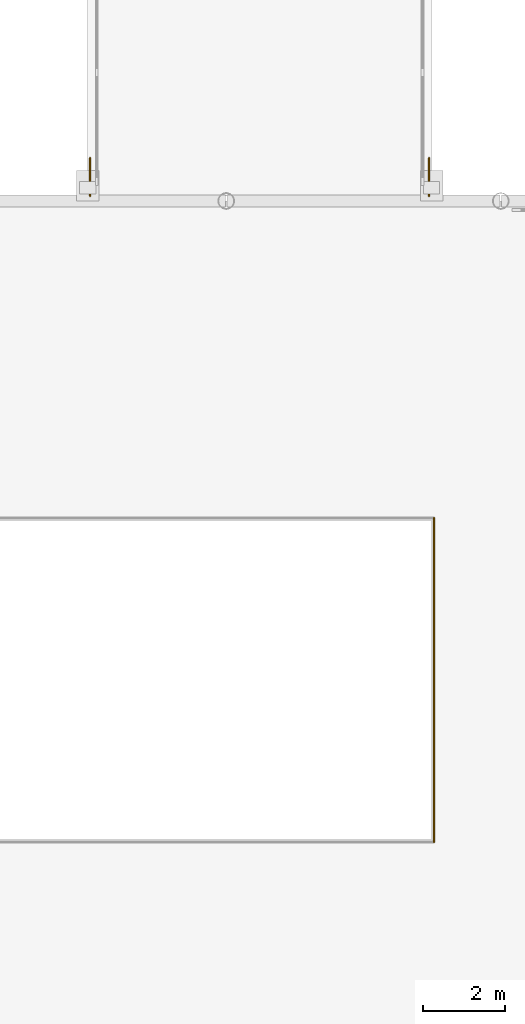
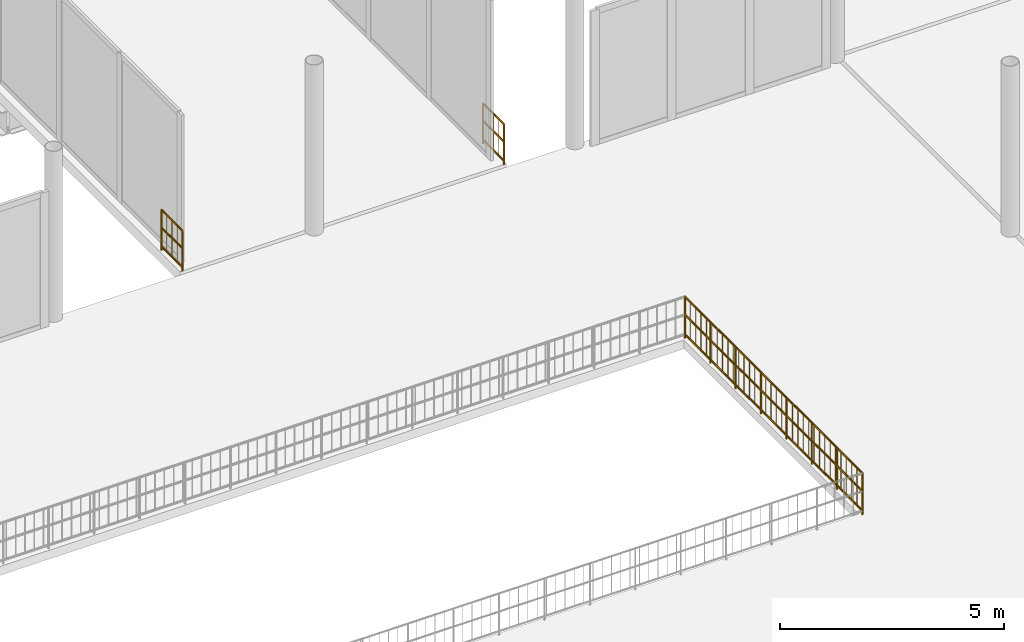
# One storey, part 90 of 98: 3 railings.
"""IFC4 building model written with IfcOpenShell, lengths in metres."""

from ifc_helpers import new_model, si_unit, direction, frame, origin, origin_2d, place, context, subcontext, project, spatial, circle, extrude, material, layer, layer_set, type_object, element, save


model = new_model("IFC4")

# Units and contexts
model_context = context("Model", 3, precision=1e-05, world=origin(), true_north=direction((0.0, 1.0)))
body_context = subcontext(model_context, "Body", "Model", "MODEL_VIEW")
ifc_project = project(units=[si_unit("LENGTHUNIT", "METRE"), si_unit("AREAUNIT", "SQUARE_METRE"), si_unit("VOLUMEUNIT", "CUBIC_METRE"), si_unit("PLANEANGLEUNIT", "RADIAN"), si_unit("MASSUNIT", "GRAM", prefix="KILO")], contexts=[model_context])

# Site, building, storey
site_placement = place(None, origin())
site = spatial("IfcSite", under=ifc_project, at=site_placement, CompositionType="ELEMENT")
building_placement = place(site_placement, origin())
building = spatial("IfcBuilding", under=site, at=building_placement, Name="Nabrawat Pavilion Hospital", CompositionType="ELEMENT")
storey_placement = place(building_placement, frame((0.0, 0.0, 10.199951171875)))
storey = spatial("IfcBuildingStorey", under=building, at=storey_placement, Name="L02", CompositionType="ELEMENT", Elevation=10.199951171875)

# Railings
ifc_material_1 = material(Name="Stainless Steel 316", Category="steel")
ifc_layer_1 = layer(ifc_material_1, 0.070068359375, Name="Stainless Steel 316")
ifc_layer_set_1 = layer_set([ifc_layer_1], Name="Stainless Steel 316")
railing_type_1 = type_object("IfcRailingType", Name="Exterior Clinical Terrace Safety Guardrail 1100", PredefinedType="GUARDRAIL", material=ifc_layer_set_1)
for number, where, name in (
    (1, (109.260009765625, 39.1201171875, 0.0), "L02 Courtyard Seismic Joint Corner Guardrail 04"),
    (2, (117.5400390625, 39.1201171875, 0.0), "L02 Courtyard Seismic Joint Corner Guardrail 05"),
):
    element("IfcRailing", number, at=place(storey_placement, frame(where)), inside=storey, type_object=railing_type_1, Name=name, PredefinedType="GUARDRAIL", context=body_context, shape_type="SweptSolid", body=[
        extrude(circle(Radius=0.02392578125, at=origin_2d()), frame((0.0, 0.0, 1.09619140625), z_axis=(0.0, 1.0, 0.0), x_axis=(-1.0, 0.0, 0.0)), (0.0, 0.0, 1.0), 0.929931640625),
        extrude(circle(Radius=0.02392578125, at=origin_2d()), frame((0.0, 0.0, 0.10009765625), z_axis=(0.0, 1.0, 0.0), x_axis=(-1.0, 0.0, 0.0)), (0.0, 0.0, 1.0), 0.929931640625),
        extrude(circle(Radius=0.02392578125, at=origin_2d()), frame((0.0, 0.0, 0.615966796875), z_axis=(0.0, 1.0, 0.0), x_axis=(-1.0, 0.0, 0.0)), (0.0, 0.0, 1.0), 0.929931640625),
        extrude(circle(Radius=0.008056640625, at=origin_2d()), frame((0.0, 0.232421875, 0.10009765625)), (0.0, 0.0, 1.0), 0.971923828125),
        extrude(circle(Radius=0.008056640625, at=origin_2d()), frame((0.0, 0.46484375, 0.10009765625)), (0.0, 0.0, 1.0), 0.971923828125),
        extrude(circle(Radius=0.008056640625, at=origin_2d()), frame((0.0, 0.697509765625, 0.10009765625)), (0.0, 0.0, 1.0), 0.971923828125),
        extrude(circle(Radius=0.02099609375, at=origin_2d()), origin(), (0.0, 0.0, 1.0), 1.072021484375),
        extrude(circle(Radius=0.02099609375, at=origin_2d()), frame((0.0, 0.929931640625, 0.0)), (0.0, 0.0, 1.0), 1.072021484375),
    ])
ifc_material_2 = material(Name="Laminated Toughened Glass and Stainless Steel", Category="steel")
ifc_layer_2 = layer(ifc_material_2, 0.080078125, Name="Laminated Toughened Glass and Stainless Steel")
ifc_layer_set_2 = layer_set([ifc_layer_2], Name="Laminated Toughened Glass and Stainless Steel")
railing_type_2 = type_object("IfcRailingType", Name="Main Hall Atrium Void Glass Balustrade 1150", PredefinedType="BALUSTRADE", material=ifc_layer_set_2)
railing_placement = place(storey_placement, frame((117.659912109375, 23.340087890625, 0.0)))
element("IfcRailing", 3, at=railing_placement, inside=storey, type_object=railing_type_2, Name="L02 Main Hall Atrium Gallery Balustrade East", PredefinedType="BALUSTRADE", context=body_context, shape_type="SweptSolid", body=[
    extrude(circle(Radius=0.02392578125, at=origin_2d()), frame((0.0, 0.0, 1.1259765625), z_axis=(0.0, 1.0, 0.0), x_axis=(-1.0, 0.0, 0.0)), (0.0, 0.0, 1.0), 7.919921875),
    extrude(circle(Radius=0.02392578125, at=origin_2d()), frame((0.0, 0.0, 0.10009765625), z_axis=(0.0, 1.0, 0.0), x_axis=(-1.0, 0.0, 0.0)), (0.0, 0.0, 1.0), 7.919921875),
    extrude(circle(Radius=0.02392578125, at=origin_2d()), frame((0.0, 0.0, 0.63232421875), z_axis=(0.0, 1.0, 0.0), x_axis=(-1.0, 0.0, 0.0)), (0.0, 0.0, 1.0), 7.919921875),
    extrude(circle(Radius=0.008056640625, at=origin_2d()), frame((0.0, 0.239990234375, 0.10009765625)), (0.0, 0.0, 1.0), 1.001708984375),
    extrude(circle(Radius=0.008056640625, at=origin_2d()), frame((0.0, 0.47998046875, 0.10009765625)), (0.0, 0.0, 1.0), 1.001708984375),
    extrude(circle(Radius=0.008056640625, at=origin_2d()), frame((0.0, 0.719970703125, 0.10009765625)), (0.0, 0.0, 1.0), 1.001708984375),
    extrude(circle(Radius=0.008056640625, at=origin_2d()), frame((0.0, 0.9599609375, 0.10009765625)), (0.0, 0.0, 1.0), 1.001708984375),
    extrude(circle(Radius=0.008056640625, at=origin_2d()), frame((0.0, 1.199951171875, 0.10009765625)), (0.0, 0.0, 1.0), 1.001708984375),
    extrude(circle(Radius=0.008056640625, at=origin_2d()), frame((0.0, 1.43994140625, 0.10009765625)), (0.0, 0.0, 1.0), 1.001708984375),
    extrude(circle(Radius=0.008056640625, at=origin_2d()), frame((0.0, 1.679931640625, 0.10009765625)), (0.0, 0.0, 1.0), 1.001708984375),
    extrude(circle(Radius=0.008056640625, at=origin_2d()), frame((0.0, 1.919921875, 0.10009765625)), (0.0, 0.0, 1.0), 1.001708984375),
    extrude(circle(Radius=0.008056640625, at=origin_2d()), frame((0.0, 2.159912109375, 0.10009765625)), (0.0, 0.0, 1.0), 1.001708984375),
    extrude(circle(Radius=0.008056640625, at=origin_2d()), frame((0.0, 2.39990234375, 0.10009765625)), (0.0, 0.0, 1.0), 1.001708984375),
    extrude(circle(Radius=0.008056640625, at=origin_2d()), frame((0.0, 2.639892578125, 0.10009765625)), (0.0, 0.0, 1.0), 1.001708984375),
    extrude(circle(Radius=0.008056640625, at=origin_2d()), frame((0.0, 2.8798828125, 0.10009765625)), (0.0, 0.0, 1.0), 1.001708984375),
    extrude(circle(Radius=0.008056640625, at=origin_2d()), frame((0.0, 3.119873046875, 0.10009765625)), (0.0, 0.0, 1.0), 1.001708984375),
    extrude(circle(Radius=0.008056640625, at=origin_2d()), frame((0.0, 3.599853515625, 0.10009765625)), (0.0, 0.0, 1.0), 1.001708984375),
    extrude(circle(Radius=0.008056640625, at=origin_2d()), frame((0.0, 3.83984375, 0.10009765625)), (0.0, 0.0, 1.0), 1.001708984375),
    extrude(circle(Radius=0.008056640625, at=origin_2d()), frame((0.0, 4.080078125, 0.10009765625)), (0.0, 0.0, 1.0), 1.001708984375),
    extrude(circle(Radius=0.008056640625, at=origin_2d()), frame((0.0, 4.320068359375, 0.10009765625)), (0.0, 0.0, 1.0), 1.001708984375),
    extrude(circle(Radius=0.008056640625, at=origin_2d()), frame((0.0, 4.800048828125, 0.10009765625)), (0.0, 0.0, 1.0), 1.001708984375),
    extrude(circle(Radius=0.008056640625, at=origin_2d()), frame((0.0, 5.0400390625, 0.10009765625)), (0.0, 0.0, 1.0), 1.001708984375),
    extrude(circle(Radius=0.008056640625, at=origin_2d()), frame((0.0, 5.280029296875, 0.10009765625)), (0.0, 0.0, 1.0), 1.001708984375),
    extrude(circle(Radius=0.008056640625, at=origin_2d()), frame((0.0, 5.52001953125, 0.10009765625)), (0.0, 0.0, 1.0), 1.001708984375),
    extrude(circle(Radius=0.008056640625, at=origin_2d()), frame((0.0, 5.760009765625, 0.10009765625)), (0.0, 0.0, 1.0), 1.001708984375),
    extrude(circle(Radius=0.008056640625, at=origin_2d()), frame((0.0, 6.0, 0.10009765625)), (0.0, 0.0, 1.0), 1.001708984375),
    extrude(circle(Radius=0.008056640625, at=origin_2d()), frame((0.0, 6.239990234375, 0.10009765625)), (0.0, 0.0, 1.0), 1.001708984375),
    extrude(circle(Radius=0.008056640625, at=origin_2d()), frame((0.0, 6.47998046875, 0.10009765625)), (0.0, 0.0, 1.0), 1.001708984375),
    extrude(circle(Radius=0.008056640625, at=origin_2d()), frame((0.0, 6.719970703125, 0.10009765625)), (0.0, 0.0, 1.0), 1.001708984375),
    extrude(circle(Radius=0.008056640625, at=origin_2d()), frame((0.0, 6.9599609375, 0.10009765625)), (0.0, 0.0, 1.0), 1.001708984375),
    extrude(circle(Radius=0.008056640625, at=origin_2d()), frame((0.0, 7.199951171875, 0.10009765625)), (0.0, 0.0, 1.0), 1.001708984375),
    extrude(circle(Radius=0.008056640625, at=origin_2d()), frame((0.0, 7.43994140625, 0.10009765625)), (0.0, 0.0, 1.0), 1.001708984375),
    extrude(circle(Radius=0.008056640625, at=origin_2d()), frame((0.0, 7.679931640625, 0.10009765625)), (0.0, 0.0, 1.0), 1.001708984375),
    extrude(circle(Radius=0.02099609375, at=origin_2d()), origin(), (0.0, 0.0, 1.0), 1.101806640625),
    extrude(circle(Radius=0.02099609375, at=origin_2d()), frame((0.0, 1.13134765625, 0.0)), (0.0, 0.0, 1.0), 1.101806640625),
    extrude(circle(Radius=0.02099609375, at=origin_2d()), frame((0.0, 2.262939453125, 0.0)), (0.0, 0.0, 1.0), 1.101806640625),
    extrude(circle(Radius=0.02099609375, at=origin_2d()), frame((0.0, 3.394287109375, 0.0)), (0.0, 0.0, 1.0), 1.101806640625),
    extrude(circle(Radius=0.02099609375, at=origin_2d()), frame((0.0, 4.525634765625, 0.0)), (0.0, 0.0, 1.0), 1.101806640625),
    extrude(circle(Radius=0.02099609375, at=origin_2d()), frame((0.0, 5.656982421875, 0.0)), (0.0, 0.0, 1.0), 1.101806640625),
    extrude(circle(Radius=0.02099609375, at=origin_2d()), frame((0.0, 6.78857421875, 0.0)), (0.0, 0.0, 1.0), 1.101806640625),
    extrude(circle(Radius=0.02099609375, at=origin_2d()), frame((0.0, 7.919921875, 0.0)), (0.0, 0.0, 1.0), 1.101806640625),
])

save(model, "model.ifc")
